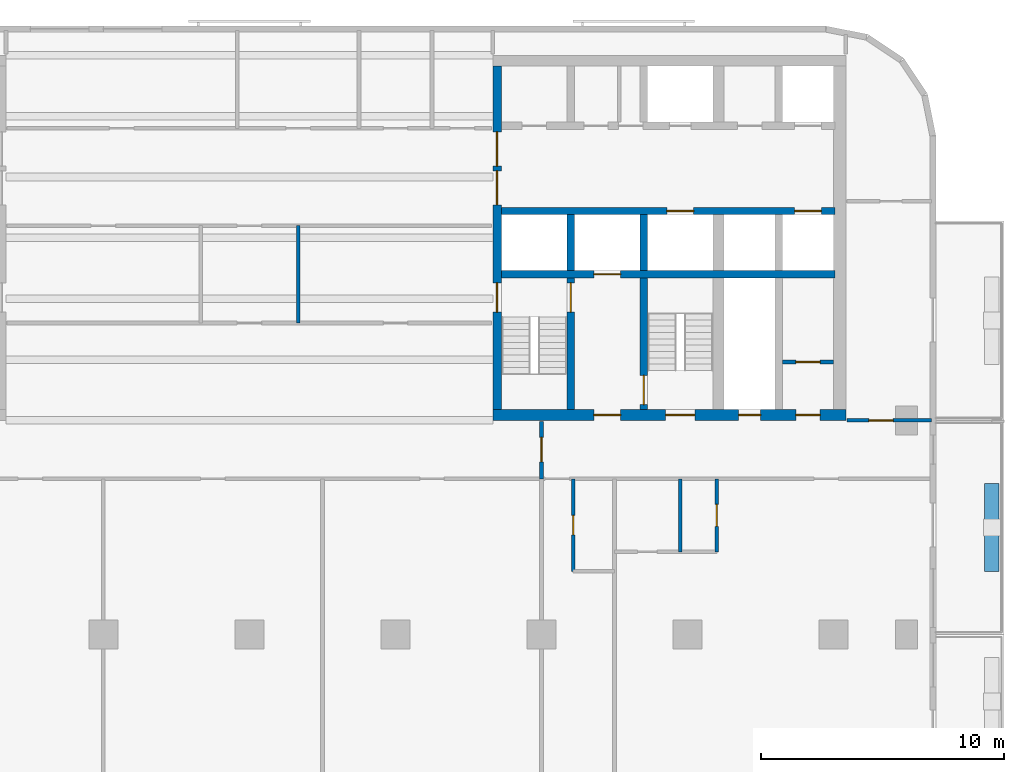
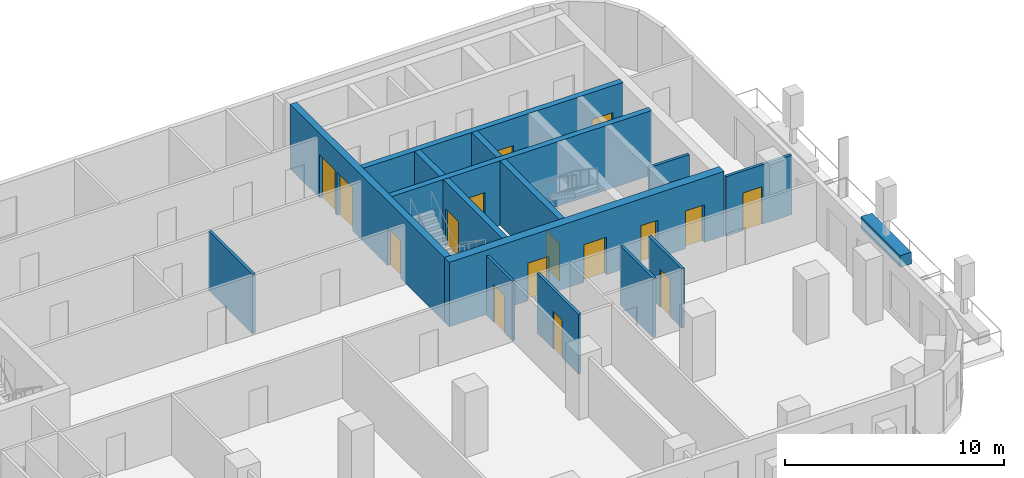
# One storey, part 5 of 11: 17 doors, 16 walls, 17 openings.
"""IFC4 building model written with IfcOpenShell, lengths in metres."""

from ifc_helpers import new_model, si_unit, direction, frame, frame_2d, origin, place, context, subcontext, project, spatial, rectangle, extrude, material, layer, layer_set, type_object, element, fill, save


model = new_model("IFC4")

# Units and contexts
model_context = context("Model", 3, precision=1e-05, world=origin(), true_north=direction((0.0, 1.0)))
body_context = subcontext(model_context, "Body", "Model", "MODEL_VIEW")
ifc_project = project(units=[si_unit("LENGTHUNIT", "METRE"), si_unit("AREAUNIT", "SQUARE_METRE"), si_unit("VOLUMEUNIT", "CUBIC_METRE"), si_unit("PLANEANGLEUNIT", "RADIAN"), si_unit("MASSUNIT", "GRAM", prefix="KILO")], contexts=[model_context])

# Site, building, storey
site_placement = place(None, origin())
site = spatial("IfcSite", under=ifc_project, at=site_placement, CompositionType="ELEMENT")
building_placement = place(site_placement, origin())
building = spatial("IfcBuilding", under=site, at=building_placement, Name="Torana Hotel and Residences", CompositionType="ELEMENT")
storey_placement = place(building_placement, frame((0.0, 0.0, 138.0)))
storey = spatial("IfcBuildingStorey", under=building, at=storey_placement, Name="L35", CompositionType="ELEMENT", Elevation=138.0)

# Wall, openings, doors
ifc_material_1 = material(Name="Concrete C70/85", Category="concrete")
ifc_layer_1 = layer(ifc_material_1, 0.300048828125)
ifc_layer_set_1 = layer_set([ifc_layer_1], Name="CORE WALL 300 C70/85")
wall_type_1 = type_object("IfcWallType", Name="CORE WALL 300 C70/85", PredefinedType="SHEAR", material=ifc_layer_set_1)
wall_1_placement = place(storey_placement, frame((10.35009765625, -6.39990234375, 0.0), z_axis=(0.0, 0.0, 1.0), x_axis=(1.0, 0.0, 0.0)))
wall_1 = element("IfcWall", 1, at=wall_1_placement, inside=storey, type_object=wall_type_1, Name="Core wall E row-S", PredefinedType="SHEAR", context=body_context, shape_type="SweptSolid", body=[
    extrude(rectangle(XDim=13.699951171875, YDim=0.300048828125, at=frame_2d((6.85009765625, 0.0))), origin(), (0.0, 0.0, 1.0), 3.60009765625),
])
opening_1_placement = place(wall_1_placement, frame((12.050048828125, 0.0, 0.0)))
opening_1 = element("IfcOpeningElement", 2, at=opening_1_placement, cuts=wall_1, Name="Opening LD", PredefinedType="OPENING", context=body_context, shape_type="SweptSolid", body=[
    extrude(rectangle(XDim=1.10009765625, YDim=2.10009765625, at=frame_2d((0.550048828125, 1.050048828125))), frame((0.0, 0.159912109375, 0.0), z_axis=(0.0, -1.0, 0.0), x_axis=(1.0, 0.0, 0.0)), (0.0, 0.0, 1.0), 0.320068359375),
])
opening_2_placement = place(wall_1_placement, frame((6.800048828125, 0.0, 0.0)))
opening_2 = element("IfcOpeningElement", 3, at=opening_2_placement, cuts=wall_1, Name="Opening LD", PredefinedType="OPENING", context=body_context, shape_type="SweptSolid", body=[
    extrude(rectangle(XDim=1.10009765625, YDim=2.10009765625, at=frame_2d((0.550048828125, 1.050048828125))), frame((0.0, 0.159912109375, 0.0), z_axis=(0.0, -1.0, 0.0), x_axis=(1.0, 0.0, 0.0)), (0.0, 0.0, 1.0), 0.320068359375),
])
ifc_material_2 = material(Name="Stainless steel 316", Category="steel")
door_type_1 = type_object("IfcDoorType", Name="LIFT LANDING DOOR LD 1100x2100", OperationType="DOUBLE_DOOR_SLIDING", PredefinedType="USERDEFINED", material=ifc_material_2)
door_1_placement = place(opening_1_placement, origin())
door_1 = element("IfcDoor", 4, at=door_1_placement, inside=storey, type_object=door_type_1, Name="Lift landing door M4 L35", ObjectType="LIFT LANDING DOOR", OperationType="DOUBLE_DOOR_SLIDING", OverallHeight=2.10009765625, OverallWidth=1.10009765625, PredefinedType="USERDEFINED", context=body_context, shape_type="SweptSolid", body=[
    extrude(rectangle(XDim=1.10009765625, YDim=2.10009765625, at=frame_2d((0.550048828125, 1.050048828125))), frame((0.0, 0.02490234375, 0.0), z_axis=(0.0, -1.0, 0.0), x_axis=(1.0, 0.0, 0.0)), (0.0, 0.0, 1.0), 0.050048828125),
])
fill(opening_1, door_1)
door_2_placement = place(opening_2_placement, origin())
door_2 = element("IfcDoor", 5, at=door_2_placement, inside=storey, type_object=door_type_1, Name="Lift landing door SV2 L35", ObjectType="LIFT LANDING DOOR", OperationType="DOUBLE_DOOR_SLIDING", OverallHeight=2.10009765625, OverallWidth=1.10009765625, PredefinedType="USERDEFINED", context=body_context, shape_type="SweptSolid", body=[
    extrude(rectangle(XDim=1.10009765625, YDim=2.10009765625, at=frame_2d((0.550048828125, 1.050048828125))), frame((0.0, 0.02490234375, 0.0), z_axis=(0.0, -1.0, 0.0), x_axis=(1.0, 0.0, 0.0)), (0.0, 0.0, 1.0), 0.050048828125),
])
fill(opening_2, door_2)

# Wall, opening, door
wall_2_placement = place(storey_placement, frame((10.35009765625, -9.0, 0.0), z_axis=(0.0, 0.0, 1.0), x_axis=(1.0, 0.0, 0.0)))
wall_2 = element("IfcWall", 6, at=wall_2_placement, inside=storey, type_object=wall_type_1, Name="Core wall E band", PredefinedType="SHEAR", context=body_context, shape_type="SweptSolid", body=[
    extrude(rectangle(XDim=13.699951171875, YDim=0.300048828125, at=frame_2d((6.85009765625, 0.0))), origin(), (0.0, 0.0, 1.0), 3.60009765625),
])
opening_3_placement = place(wall_2_placement, frame((3.800048828125, 0.0, 0.0)))
opening_3 = element("IfcOpeningElement", 7, at=opening_3_placement, cuts=wall_2, Name="Opening LD", PredefinedType="OPENING", context=body_context, shape_type="SweptSolid", body=[
    extrude(rectangle(XDim=1.10009765625, YDim=2.10009765625, at=frame_2d((0.550048828125, 1.050048828125))), frame((0.0, 0.159912109375, 0.0), z_axis=(0.0, -1.0, 0.0), x_axis=(1.0, 0.0, 0.0)), (0.0, 0.0, 1.0), 0.320068359375),
])
door_3_placement = place(opening_3_placement, origin())
door_3 = element("IfcDoor", 8, at=door_3_placement, inside=storey, type_object=door_type_1, Name="Lift landing door FF2 L35", ObjectType="LIFT LANDING DOOR", OperationType="DOUBLE_DOOR_SLIDING", OverallHeight=2.10009765625, OverallWidth=1.10009765625, PredefinedType="USERDEFINED", context=body_context, shape_type="SweptSolid", body=[
    extrude(rectangle(XDim=1.10009765625, YDim=2.10009765625, at=frame_2d((0.550048828125, 1.050048828125))), frame((0.0, 0.02490234375, 0.0), z_axis=(0.0, -1.0, 0.0), x_axis=(1.0, 0.0, 0.0)), (0.0, 0.0, 1.0), 0.050048828125),
])
fill(opening_3, door_3)

# Wall
wall_3_placement = place(storey_placement, frame((13.199951171875, -8.85009765625, 0.0), z_axis=(0.0, 0.0, 1.0), x_axis=(0.0, 1.0, 0.0)))
element("IfcWall", 9, at=wall_3_placement, inside=storey, type_object=wall_type_1, Name="Core wall E x3.05-S", PredefinedType="SHEAR", context=body_context, shape_type="SweptSolid", body=[
    extrude(rectangle(XDim=2.300048828125, YDim=0.300048828125, at=frame_2d((1.14990234375, 0.0))), origin(), (0.0, 0.0, 1.0), 3.60009765625),
])

# Wall, opening, door
wall_4_placement = place(storey_placement, frame((13.199951171875, -14.550048828125, 0.0), z_axis=(0.0, 0.0, 1.0), x_axis=(0.0, 1.0, 0.0)))
wall_4 = element("IfcWall", 10, at=wall_4_placement, inside=storey, type_object=wall_type_1, Name="Core wall E x3.05-band", PredefinedType="SHEAR", context=body_context, shape_type="SweptSolid", body=[
    extrude(rectangle(XDim=5.400146484375, YDim=0.300048828125, at=frame_2d((2.7001953125, 0.0))), origin(), (0.0, 0.0, 1.0), 3.60009765625),
])
opening_4_placement = place(wall_4_placement, frame((4.0, 0.0, 0.0)))
opening_4 = element("IfcOpeningElement", 11, at=opening_4_placement, cuts=wall_4, Name="Opening L35-27", PredefinedType="OPENING", context=body_context, shape_type="SweptSolid", body=[
    extrude(rectangle(XDim=1.199951171875, YDim=2.10009765625, at=frame_2d((0.60009765625, 1.050048828125))), frame((0.0, 0.159912109375, 0.0), z_axis=(0.0, -1.0, 0.0), x_axis=(1.0, 0.0, 0.0)), (0.0, 0.0, 1.0), 0.320068359375),
])
ifc_material_3 = material(Name="Steel S235", Category="steel")
door_type_2 = type_object("IfcDoorType", Name="STAIR FIRE DOOR D3 1200x2100", OperationType="SINGLE_SWING_LEFT", PredefinedType="DOOR", material=ifc_material_3)
door_4_placement = place(opening_4_placement, origin())
door_4 = element("IfcDoor", 12, at=door_4_placement, inside=storey, type_object=door_type_2, Name="Stair-A-lobby door L35", OperationType="SINGLE_SWING_LEFT", OverallHeight=2.10009765625, OverallWidth=1.199951171875, PredefinedType="DOOR", context=body_context, shape_type="SweptSolid", body=[
    extrude(rectangle(XDim=1.199951171875, YDim=2.10009765625, at=frame_2d((0.60009765625, 1.050048828125))), frame((0.0, 0.02490234375, 0.0), z_axis=(0.0, -1.0, 0.0), x_axis=(1.0, 0.0, 0.0)), (0.0, 0.0, 1.0), 0.050048828125),
])
fill(opening_4, door_4)

# Wall
wall_5_placement = place(storey_placement, frame((16.199951171875, -8.85009765625, 0.0), z_axis=(0.0, 0.0, 1.0), x_axis=(0.0, 1.0, 0.0)))
element("IfcWall", 13, at=wall_5_placement, inside=storey, type_object=wall_type_1, Name="Core wall E x6.05-S", PredefinedType="SHEAR", context=body_context, shape_type="SweptSolid", body=[
    extrude(rectangle(XDim=2.300048828125, YDim=0.300048828125, at=frame_2d((1.14990234375, 0.0))), origin(), (0.0, 0.0, 1.0), 3.60009765625),
])

# Wall, opening, door
wall_6_placement = place(storey_placement, frame((16.199951171875, -14.550048828125, 0.0), z_axis=(0.0, 0.0, 1.0), x_axis=(0.0, 1.0, 0.0)))
wall_6 = element("IfcWall", 14, at=wall_6_placement, inside=storey, type_object=wall_type_1, Name="Core wall E x6.05-band", PredefinedType="SHEAR", context=body_context, shape_type="SweptSolid", body=[
    extrude(rectangle(XDim=5.400146484375, YDim=0.300048828125, at=frame_2d((2.7001953125, 0.0))), origin(), (0.0, 0.0, 1.0), 3.60009765625),
])
opening_5_placement = place(wall_6_placement, frame((0.199951171875, 0.0, 0.0)))
opening_5 = element("IfcOpeningElement", 15, at=opening_5_placement, cuts=wall_6, Name="Opening L35-28", PredefinedType="OPENING", context=body_context, shape_type="SweptSolid", body=[
    extrude(rectangle(XDim=1.199951171875, YDim=2.10009765625, at=frame_2d((0.60009765625, 1.050048828125))), frame((0.0, 0.159912109375, 0.0), z_axis=(0.0, -1.0, 0.0), x_axis=(1.0, 0.0, 0.0)), (0.0, 0.0, 1.0), 0.320068359375),
])
door_5_placement = place(opening_5_placement, frame((0.60009765625, 0.0, 0.0), z_axis=(0.0, 0.0, 1.0), x_axis=(-1.0, 0.0, 0.0)))
door_5 = element("IfcDoor", 16, at=door_5_placement, inside=storey, type_object=door_type_2, Name="Stair-B-lobby door L35", OperationType="SINGLE_SWING_LEFT", OverallHeight=2.10009765625, OverallWidth=1.199951171875, PredefinedType="DOOR", context=body_context, shape_type="SweptSolid", body=[
    extrude(rectangle(XDim=1.199951171875, YDim=2.10009765625, at=frame_2d((0.0, 1.050048828125))), frame((0.0, -0.02490234375, 0.0), z_axis=(0.0, 1.0, 0.0), x_axis=(-1.0, 0.0, 0.0)), (0.0, 0.0, 1.0), 0.050048828125),
])
fill(opening_5, door_5)

# Wall, openings, doors
ifc_material_4 = material(Name="Concrete C70/85", Category="concrete")
ifc_layer_2 = layer(ifc_material_4, 0.35009765625)
ifc_layer_set_2 = layer_set([ifc_layer_2], Name="CORE WALL 350 C70/85")
wall_type_2 = type_object("IfcWallType", Name="CORE WALL 350 C70/85", PredefinedType="SHEAR", material=ifc_layer_set_2)
wall_7_placement = place(storey_placement, frame((10.175048828125, -14.550048828125, 0.0), z_axis=(0.0, 0.0, 1.0), x_axis=(0.0, 1.0, 0.0)))
wall_7 = element("IfcWall", 17, at=wall_7_placement, inside=storey, type_object=wall_type_2, Name="Core wall E arch", PredefinedType="SHEAR", context=body_context, shape_type="SweptSolid", body=[
    extrude(rectangle(XDim=14.10009765625, YDim=0.35009765625, at=frame_2d((7.050048828125, 0.0))), origin(), (0.0, 0.0, 1.0), 3.60009765625),
])
opening_6_placement = place(wall_7_placement, frame((8.39990234375, 0.0, 0.0)))
opening_6 = element("IfcOpeningElement", 18, at=opening_6_placement, cuts=wall_7, Name="Opening L35-15", PredefinedType="OPENING", context=body_context, shape_type="SweptSolid", body=[
    extrude(rectangle(XDim=1.39990234375, YDim=2.39990234375, at=frame_2d((0.699951171875, 1.199951171875))), frame((0.0, 0.18505859375, 0.0), z_axis=(0.0, -1.0, 0.0), x_axis=(1.0, 0.0, 0.0)), (0.0, 0.0, 1.0), 0.3701171875),
])
opening_7_placement = place(wall_7_placement, frame((10.0, 0.0, 0.0)))
opening_7 = element("IfcOpeningElement", 19, at=opening_7_placement, cuts=wall_7, Name="Opening L35-16", PredefinedType="OPENING", context=body_context, shape_type="SweptSolid", body=[
    extrude(rectangle(XDim=1.39990234375, YDim=2.39990234375, at=frame_2d((0.699951171875, 1.199951171875))), frame((0.0, 0.18505859375, 0.0), z_axis=(0.0, -1.0, 0.0), x_axis=(1.0, 0.0, 0.0)), (0.0, 0.0, 1.0), 0.3701171875),
])
opening_8_placement = place(wall_7_placement, frame((4.0, 0.0, 0.0)))
opening_8 = element("IfcOpeningElement", 20, at=opening_8_placement, cuts=wall_7, Name="Opening L35-17", PredefinedType="OPENING", context=body_context, shape_type="SweptSolid", body=[
    extrude(rectangle(XDim=1.199951171875, YDim=2.10009765625, at=frame_2d((0.60009765625, 1.050048828125))), frame((0.0, 0.18505859375, 0.0), z_axis=(0.0, -1.0, 0.0), x_axis=(1.0, 0.0, 0.0)), (0.0, 0.0, 1.0), 0.3701171875),
])
ifc_material_5 = material(Name="Steel S235", Category="steel")
door_type_3 = type_object("IfcDoorType", Name="LOBBY FIRE DOOR D4 1400x2400", OperationType="DOUBLE_DOOR_SINGLE_SWING", PredefinedType="DOOR", material=ifc_material_5)
door_6_placement = place(opening_6_placement, origin())
door_6 = element("IfcDoor", 21, at=door_6_placement, inside=storey, type_object=door_type_3, Name="Lobby-1 door L35", OperationType="DOUBLE_DOOR_SINGLE_SWING", OverallHeight=2.39990234375, OverallWidth=1.39990234375, PredefinedType="DOOR", context=body_context, shape_type="SweptSolid", body=[
    extrude(rectangle(XDim=1.39990234375, YDim=2.39990234375, at=frame_2d((0.699951171875, 1.199951171875))), frame((0.0, 0.02490234375, 0.0), z_axis=(0.0, -1.0, 0.0), x_axis=(1.0, 0.0, 0.0)), (0.0, 0.0, 1.0), 0.050048828125),
])
fill(opening_6, door_6)
door_7_placement = place(opening_7_placement, origin())
door_7 = element("IfcDoor", 22, at=door_7_placement, inside=storey, type_object=door_type_3, Name="Lobby-2 door L35", OperationType="DOUBLE_DOOR_SINGLE_SWING", OverallHeight=2.39990234375, OverallWidth=1.39990234375, PredefinedType="DOOR", context=body_context, shape_type="SweptSolid", body=[
    extrude(rectangle(XDim=1.39990234375, YDim=2.39990234375, at=frame_2d((0.699951171875, 1.199951171875))), frame((0.0, 0.02490234375, 0.0), z_axis=(0.0, -1.0, 0.0), x_axis=(1.0, 0.0, 0.0)), (0.0, 0.0, 1.0), 0.050048828125),
])
fill(opening_7, door_7)
door_8_placement = place(opening_8_placement, frame((0.60009765625, 0.0, 0.0), z_axis=(0.0, 0.0, 1.0), x_axis=(-1.0, 0.0, 0.0)))
door_8 = element("IfcDoor", 23, at=door_8_placement, inside=storey, type_object=door_type_2, Name="Stair-A door L35", OperationType="SINGLE_SWING_RIGHT", OverallHeight=2.10009765625, OverallWidth=1.199951171875, PredefinedType="DOOR", context=body_context, shape_type="SweptSolid", body=[
    extrude(rectangle(XDim=1.199951171875, YDim=2.10009765625, at=frame_2d((0.0, 1.050048828125))), frame((0.0, -0.02490234375, 0.0), z_axis=(0.0, 1.0, 0.0), x_axis=(-1.0, 0.0, 0.0)), (0.0, 0.0, 1.0), 0.050048828125),
])
fill(opening_8, door_8)

ifc_material_6 = material(Name="Concrete C70/85", Category="concrete")
ifc_layer_3 = layer(ifc_material_6, 0.449951171875)
ifc_layer_set_3 = layer_set([ifc_layer_3], Name="CORE WALL 450 C70/85")
wall_type_3 = type_object("IfcWallType", Name="CORE WALL 450 C70/85", PredefinedType="SHEAR", material=ifc_layer_set_3)
wall_8_placement = place(storey_placement, frame((10.0, -14.77490234375, 0.0), z_axis=(0.0, 0.0, 1.0), x_axis=(1.0, 0.0, 0.0)))
wall_8 = element("IfcWall", 24, at=wall_8_placement, inside=storey, type_object=wall_type_3, Name="Core wall E front", PredefinedType="SHEAR", context=body_context, shape_type="SweptSolid", body=[
    extrude(rectangle(XDim=14.5, YDim=0.449951171875, at=frame_2d((7.25, 0.0))), origin(), (0.0, 0.0, 1.0), 3.60009765625),
])
opening_9_placement = place(wall_8_placement, frame((7.10009765625, 0.0, 0.0)))
opening_9 = element("IfcOpeningElement", 25, at=opening_9_placement, cuts=wall_8, Name="Opening L35-18", PredefinedType="OPENING", context=body_context, shape_type="SweptSolid", body=[
    extrude(rectangle(XDim=1.199951171875, YDim=2.10009765625, at=frame_2d((0.60009765625, 1.050048828125))), frame((0.0, 0.23486328125, 0.0), z_axis=(0.0, -1.0, 0.0), x_axis=(1.0, 0.0, 0.0)), (0.0, 0.0, 1.0), 0.469970703125),
])
opening_10_placement = place(wall_8_placement, frame((4.14990234375, 0.0, 0.0)))
opening_10 = element("IfcOpeningElement", 26, at=opening_10_placement, cuts=wall_8, Name="Opening L35-19", PredefinedType="OPENING", context=body_context, shape_type="SweptSolid", body=[
    extrude(rectangle(XDim=1.10009765625, YDim=2.10009765625, at=frame_2d((0.550048828125, 1.050048828125))), frame((0.0, 0.23486328125, 0.0), z_axis=(0.0, -1.0, 0.0), x_axis=(1.0, 0.0, 0.0)), (0.0, 0.0, 1.0), 0.469970703125),
])
opening_11_placement = place(wall_8_placement, frame((10.10009765625, 0.0, 0.0)))
opening_11 = element("IfcOpeningElement", 27, at=opening_11_placement, cuts=wall_8, Name="Opening L35-20", PredefinedType="OPENING", context=body_context, shape_type="SweptSolid", body=[
    extrude(rectangle(XDim=0.89990234375, YDim=2.10009765625, at=frame_2d((0.449951171875, 1.050048828125))), frame((0.0, 0.23486328125, 0.0), z_axis=(0.0, -1.0, 0.0), x_axis=(1.0, 0.0, 0.0)), (0.0, 0.0, 1.0), 0.469970703125),
])
opening_12_placement = place(wall_8_placement, frame((12.449951171875, 0.0, 0.0)))
opening_12 = element("IfcOpeningElement", 28, at=opening_12_placement, cuts=wall_8, Name="Opening L35-21", PredefinedType="OPENING", context=body_context, shape_type="SweptSolid", body=[
    extrude(rectangle(XDim=1.0, YDim=2.10009765625, at=frame_2d((0.5, 1.050048828125))), frame((0.0, 0.23486328125, 0.0), z_axis=(0.0, -1.0, 0.0), x_axis=(1.0, 0.0, 0.0)), (0.0, 0.0, 1.0), 0.469970703125),
])
ifc_material_7 = material(Name="Steel S235", Category="steel")
door_type_4 = type_object("IfcDoorType", Name="CORE ROOM FIRE DOOR D14 1000x2100", OperationType="SINGLE_SWING_LEFT", PredefinedType="DOOR", material=ifc_material_7)
door_9_placement = place(opening_12_placement, origin())
door_9 = element("IfcDoor", 29, at=door_9_placement, inside=storey, type_object=door_type_4, Name="M-Room-B door L35", OperationType="SINGLE_SWING_RIGHT", OverallHeight=2.10009765625, OverallWidth=1.0, PredefinedType="DOOR", context=body_context, shape_type="SweptSolid", body=[
    extrude(rectangle(XDim=1.0, YDim=2.10009765625, at=frame_2d((0.5, 1.050048828125))), frame((0.0, 0.02490234375, 0.0), z_axis=(0.0, -1.0, 0.0), x_axis=(1.0, 0.0, 0.0)), (0.0, 0.0, 1.0), 0.050048828125),
])
fill(opening_12, door_9)
ifc_material_8 = material(Name="Steel S235", Category="steel")
door_type_5 = type_object("IfcDoorType", Name="FIRE-FIGHTING LOBBY DOOR D8 1100x2100", OperationType="SINGLE_SWING_LEFT", PredefinedType="DOOR", material=ifc_material_8)
door_10_placement = place(opening_10_placement, origin())
door_10 = element("IfcDoor", 30, at=door_10_placement, inside=storey, type_object=door_type_5, Name="FF-lobby door L35", OperationType="SINGLE_SWING_RIGHT", OverallHeight=2.10009765625, OverallWidth=1.10009765625, PredefinedType="DOOR", context=body_context, shape_type="SweptSolid", body=[
    extrude(rectangle(XDim=1.10009765625, YDim=2.10009765625, at=frame_2d((0.550048828125, 1.050048828125))), frame((0.0, 0.02490234375, 0.0), z_axis=(0.0, -1.0, 0.0), x_axis=(1.0, 0.0, 0.0)), (0.0, 0.0, 1.0), 0.050048828125),
])
fill(opening_10, door_10)
ifc_material_9 = material(Name="Steel S235", Category="steel")
door_type_6 = type_object("IfcDoorType", Name="RISER ACCESS DOOR D5 900x2100", OperationType="SINGLE_SWING_LEFT", PredefinedType="DOOR", material=ifc_material_9)
door_11_placement = place(opening_11_placement, origin())
door_11 = element("IfcDoor", 31, at=door_11_placement, inside=storey, type_object=door_type_6, Name="M-Riser door L35", OperationType="SINGLE_SWING_RIGHT", OverallHeight=2.10009765625, OverallWidth=0.89990234375, PredefinedType="DOOR", context=body_context, shape_type="SweptSolid", body=[
    extrude(rectangle(XDim=0.89990234375, YDim=2.10009765625, at=frame_2d((0.449951171875, 1.050048828125))), frame((0.0, 0.02490234375, 0.0), z_axis=(0.0, -1.0, 0.0), x_axis=(1.0, 0.0, 0.0)), (0.0, 0.0, 1.0), 0.050048828125),
])
fill(opening_11, door_11)
door_12_placement = place(opening_9_placement, origin())
door_12 = element("IfcDoor", 32, at=door_12_placement, inside=storey, type_object=door_type_2, Name="Stair-B door L35", OperationType="SINGLE_SWING_RIGHT", OverallHeight=2.10009765625, OverallWidth=1.199951171875, PredefinedType="DOOR", context=body_context, shape_type="SweptSolid", body=[
    extrude(rectangle(XDim=1.199951171875, YDim=2.10009765625, at=frame_2d((0.60009765625, 1.050048828125))), frame((0.0, 0.02490234375, 0.0), z_axis=(0.0, -1.0, 0.0), x_axis=(1.0, 0.0, 0.0)), (0.0, 0.0, 1.0), 0.050048828125),
])
fill(opening_9, door_12)

# Wall, opening, door
ifc_material_10 = material(Name="Gypsum plaster")
ifc_layer_4 = layer(ifc_material_10, 0.014892578125, Name="Plaster", Category="finish")
ifc_material_11 = material(Name="Concrete blockwork", Category="masonry")
ifc_layer_5 = layer(ifc_material_11, 0.1201171875, Name="Blockwork", Category="structure")
ifc_layer_6 = layer(ifc_material_10, 0.014892578125, Name="Plaster", Category="finish")
ifc_layer_set_4 = layer_set([ifc_layer_4, ifc_layer_5, ifc_layer_6], Name="FIRE PARTITION 150 BLOCKWORK")
wall_type_4 = type_object("IfcWallType", Name="FIRE PARTITION 150 BLOCKWORK", PredefinedType="PARTITIONING", material=ifc_layer_set_4)
wall_9_placement = place(storey_placement, frame((21.89990234375, -12.60009765625, 0.0), z_axis=(0.0, 0.0, 1.0), x_axis=(1.0, 0.0, 0.0)))
wall_9 = element("IfcWall", 33, at=wall_9_placement, inside=storey, type_object=wall_type_4, Name="Core partition L35", PredefinedType="PARTITIONING", context=body_context, shape_type="SweptSolid", body=[
    extrude(rectangle(XDim=2.10009765625, YDim=0.14990234375, at=frame_2d((1.050048828125, 0.0))), origin(), (0.0, 0.0, 1.0), 3.300048828125),
])
opening_13_placement = place(wall_9_placement, frame((0.550048828125, 0.0, 0.0)))
opening_13 = element("IfcOpeningElement", 34, at=opening_13_placement, cuts=wall_9, Name="Opening L35-30", PredefinedType="OPENING", context=body_context, shape_type="SweptSolid", body=[
    extrude(rectangle(XDim=1.0, YDim=2.10009765625, at=frame_2d((0.5, 1.050048828125))), frame((0.0, 0.0849609375, 0.0), z_axis=(0.0, -1.0, 0.0), x_axis=(1.0, 0.0, 0.0)), (0.0, 0.0, 1.0), 0.169921875),
])
door_13_placement = place(opening_13_placement, origin())
door_13 = element("IfcDoor", 35, at=door_13_placement, inside=storey, type_object=door_type_4, Name="Plant room door L35", OperationType="SINGLE_SWING_RIGHT", OverallHeight=2.10009765625, OverallWidth=1.0, PredefinedType="DOOR", context=body_context, shape_type="SweptSolid", body=[
    extrude(rectangle(XDim=1.0, YDim=2.10009765625, at=frame_2d((0.5, 1.050048828125))), frame((0.0, 0.02490234375, 0.0), z_axis=(0.0, -1.0, 0.0), x_axis=(1.0, 0.0, 0.0)), (0.0, 0.0, 1.0), 0.050048828125),
])
fill(opening_13, door_13)

wall_10_placement = place(storey_placement, frame((12.0, -17.39990234375, 0.0), z_axis=(0.0, 0.0, 1.0), x_axis=(0.0, 1.0, 0.0)))
wall_10 = element("IfcWall", 36, at=wall_10_placement, inside=storey, type_object=wall_type_4, Name="Partition L35", PredefinedType="PARTITIONING", context=body_context, shape_type="SweptSolid", body=[
    extrude(rectangle(XDim=2.349853515625, YDim=0.14990234375, at=frame_2d((1.1748046875, 0.0))), origin(), (0.0, 0.0, 1.0), 3.320068359375),
])
opening_14_placement = place(wall_10_placement, frame((0.699951171875, 0.0, 0.0)))
opening_14 = element("IfcOpeningElement", 37, at=opening_14_placement, cuts=wall_10, Name="Opening L35-36", PredefinedType="OPENING", context=body_context, shape_type="SweptSolid", body=[
    extrude(rectangle(XDim=1.0, YDim=2.10009765625, at=frame_2d((0.5, 1.050048828125))), frame((0.0, 0.0849609375, 0.0), z_axis=(0.0, -1.0, 0.0), x_axis=(1.0, 0.0, 0.0)), (0.0, 0.0, 1.0), 0.169921875),
])
ifc_material_12 = material(Name="Steel S235", Category="steel")
door_type_7 = type_object("IfcDoorType", Name="ENTRY FIRE DOOR D6 1000x2100", OperationType="SINGLE_SWING_LEFT", PredefinedType="DOOR", material=ifc_material_12)
door_14_placement = place(opening_14_placement, origin())
door_14 = element("IfcDoor", 38, at=door_14_placement, inside=storey, type_object=door_type_7, Name="Door L35", OperationType="SINGLE_SWING_RIGHT", OverallHeight=2.10009765625, OverallWidth=1.0, PredefinedType="DOOR", context=body_context, shape_type="SweptSolid", body=[
    extrude(rectangle(XDim=1.0, YDim=2.10009765625, at=frame_2d((0.5, 1.050048828125))), frame((0.0, 0.02490234375, 0.0), z_axis=(0.0, -1.0, 0.0), x_axis=(1.0, 0.0, 0.0)), (0.0, 0.0, 1.0), 0.050048828125),
])
fill(opening_14, door_14)

# Wall
wall_11_placement = place(storey_placement, frame((2.0, -11.0, 0.0), z_axis=(0.0, 0.0, 1.0), x_axis=(0.0, 1.0, 0.0)))
element("IfcWall", 39, at=wall_11_placement, inside=storey, type_object=wall_type_4, Name="Partition L35", PredefinedType="PARTITIONING", context=body_context, shape_type="SweptSolid", body=[
    extrude(rectangle(XDim=4.0, YDim=0.14990234375, at=frame_2d((2.0, 0.0))), origin(), (0.0, 0.0, 1.0), 3.320068359375),
])

# Wall, opening, door
wall_12_placement = place(storey_placement, frame((24.550048828125, -15.0, 0.0), z_axis=(0.0, 0.0, 1.0), x_axis=(1.0, 0.0, 0.0)))
wall_12 = element("IfcWall", 40, at=wall_12_placement, inside=storey, type_object=wall_type_4, Name="Partition L35", PredefinedType="PARTITIONING", context=body_context, shape_type="SweptSolid", body=[
    extrude(rectangle(XDim=3.469970703125, YDim=0.14990234375, at=frame_2d((1.73486328125, 0.0))), origin(), (0.0, 0.0, 1.0), 3.320068359375),
])
opening_15_placement = place(wall_12_placement, frame((0.89990234375, 0.0, 0.0)))
opening_15 = element("IfcOpeningElement", 41, at=opening_15_placement, cuts=wall_12, Name="Opening L35-39", PredefinedType="OPENING", context=body_context, shape_type="SweptSolid", body=[
    extrude(rectangle(XDim=1.0, YDim=2.10009765625, at=frame_2d((0.5, 1.050048828125))), frame((0.0, 0.0849609375, 0.0), z_axis=(0.0, -1.0, 0.0), x_axis=(1.0, 0.0, 0.0)), (0.0, 0.0, 1.0), 0.169921875),
])
door_15_placement = place(opening_15_placement, origin())
door_15 = element("IfcDoor", 42, at=door_15_placement, inside=storey, type_object=door_type_4, Name="Door L35", OperationType="SINGLE_SWING_LEFT", OverallHeight=2.10009765625, OverallWidth=1.0, PredefinedType="DOOR", context=body_context, shape_type="SweptSolid", body=[
    extrude(rectangle(XDim=1.0, YDim=2.10009765625, at=frame_2d((0.5, 1.050048828125))), frame((0.0, 0.02490234375, 0.0), z_axis=(0.0, -1.0, 0.0), x_axis=(1.0, 0.0, 0.0)), (0.0, 0.0, 1.0), 0.050048828125),
])
fill(opening_15, door_15)

ifc_material_13 = material(Name="Gypsum plasterboard")
ifc_layer_7 = layer(ifc_material_13, 0.012451171875, Name="Plasterboard", Category="finish")
ifc_layer_8 = layer(ifc_material_13, 0.012451171875, Name="Plasterboard", Category="finish")
ifc_material_14 = material(Name="Steel S280GD", Category="steel")
ifc_layer_9 = layer(ifc_material_14, 0.10009765625, Name="Steel studs with mineral wool", Category="insulation")
ifc_layer_10 = layer(ifc_material_13, 0.012451171875, Name="Plasterboard", Category="finish")
ifc_layer_11 = layer(ifc_material_13, 0.012451171875, Name="Plasterboard", Category="finish")
ifc_layer_set_5 = layer_set([ifc_layer_7, ifc_layer_8, ifc_layer_9, ifc_layer_10, ifc_layer_11], Name="PARTITION 150 PLASTERBOARD")
wall_type_5 = type_object("IfcWallType", Name="PARTITION 150 PLASTERBOARD", PredefinedType="PARTITIONING", material=ifc_layer_set_5)
wall_13_placement = place(storey_placement, frame((19.199951171875, -20.39990234375, 0.0), z_axis=(0.0, 0.0, 1.0), x_axis=(0.0, 1.0, 0.0)))
wall_13 = element("IfcWall", 43, at=wall_13_placement, inside=storey, type_object=wall_type_5, Name="Partition L35", PredefinedType="PARTITIONING", context=body_context, shape_type="SweptSolid", body=[
    extrude(rectangle(XDim=3.0, YDim=0.14990234375, at=frame_2d((1.5, 0.0))), origin(), (0.0, 0.0, 1.0), 3.320068359375),
])
opening_16_placement = place(wall_13_placement, frame((1.050048828125, 0.0, 0.0)))
opening_16 = element("IfcOpeningElement", 44, at=opening_16_placement, cuts=wall_13, Name="Opening L35-57", PredefinedType="OPENING", context=body_context, shape_type="SweptSolid", body=[
    extrude(rectangle(XDim=0.89990234375, YDim=2.10009765625, at=frame_2d((0.449951171875, 1.050048828125))), frame((0.0, 0.0849609375, 0.0), z_axis=(0.0, -1.0, 0.0), x_axis=(1.0, 0.0, 0.0)), (0.0, 0.0, 1.0), 0.169921875),
])
ifc_material_15 = material(Name="Timber door, oiled ash", Category="wood")
door_type_8 = type_object("IfcDoorType", Name="ROOM DOOR D7 900x2100", OperationType="SINGLE_SWING_LEFT", PredefinedType="DOOR", material=ifc_material_15)
door_16_placement = place(opening_16_placement, origin())
door_16 = element("IfcDoor", 45, at=door_16_placement, inside=storey, type_object=door_type_8, Name="Door L35", OperationType="SINGLE_SWING_RIGHT", OverallHeight=2.10009765625, OverallWidth=0.89990234375, PredefinedType="DOOR", context=body_context, shape_type="SweptSolid", body=[
    extrude(rectangle(XDim=0.89990234375, YDim=2.10009765625, at=frame_2d((0.449951171875, 1.050048828125))), frame((0.0, 0.02490234375, 0.0), z_axis=(0.0, -1.0, 0.0), x_axis=(1.0, 0.0, 0.0)), (0.0, 0.0, 1.0), 0.050048828125),
])
fill(opening_16, door_16)

# Wall
wall_14_placement = place(storey_placement, frame((17.699951171875, -20.39990234375, 0.0), z_axis=(0.0, 0.0, 1.0), x_axis=(0.0, 1.0, 0.0)))
element("IfcWall", 46, at=wall_14_placement, inside=storey, type_object=wall_type_5, Name="Partition L35", PredefinedType="PARTITIONING", context=body_context, shape_type="SweptSolid", body=[
    extrude(rectangle(XDim=3.0, YDim=0.14990234375, at=frame_2d((1.5, 0.0))), origin(), (0.0, 0.0, 1.0), 3.320068359375),
])

# Wall, opening, door
wall_15_placement = place(storey_placement, frame((13.300048828125, -21.199951171875, 0.0), z_axis=(0.0, 0.0, 1.0), x_axis=(0.0, 1.0, 0.0)))
wall_15 = element("IfcWall", 47, at=wall_15_placement, inside=storey, type_object=wall_type_5, Name="Partition L35", PredefinedType="PARTITIONING", context=body_context, shape_type="SweptSolid", body=[
    extrude(rectangle(XDim=3.800048828125, YDim=0.14990234375, at=frame_2d((1.89990234375, 0.0))), origin(), (0.0, 0.0, 1.0), 3.320068359375),
])
opening_17_placement = place(wall_15_placement, frame((1.5, 0.0, 0.0)))
opening_17 = element("IfcOpeningElement", 48, at=opening_17_placement, cuts=wall_15, Name="Opening L35-53", PredefinedType="OPENING", context=body_context, shape_type="SweptSolid", body=[
    extrude(rectangle(XDim=0.800048828125, YDim=2.10009765625, at=frame_2d((0.39990234375, 1.050048828125))), frame((0.0, 0.0849609375, 0.0), z_axis=(0.0, -1.0, 0.0), x_axis=(1.0, 0.0, 0.0)), (0.0, 0.0, 1.0), 0.169921875),
])
ifc_material_16 = material(Name="Timber door, painted", Category="wood")
door_type_9 = type_object("IfcDoorType", Name="BATH DOOR D13 800x2100", OperationType="SINGLE_SWING_LEFT", PredefinedType="DOOR", material=ifc_material_16)
door_17_placement = place(opening_17_placement, origin())
door_17 = element("IfcDoor", 49, at=door_17_placement, inside=storey, type_object=door_type_9, Name="Door L35", OperationType="SINGLE_SWING_RIGHT", OverallHeight=2.10009765625, OverallWidth=0.800048828125, PredefinedType="DOOR", context=body_context, shape_type="SweptSolid", body=[
    extrude(rectangle(XDim=0.800048828125, YDim=2.10009765625, at=frame_2d((0.39990234375, 1.050048828125))), frame((0.0, 0.02490234375, 0.0), z_axis=(0.0, -1.0, 0.0), x_axis=(1.0, 0.0, 0.0)), (0.0, 0.0, 1.0), 0.050048828125),
])
fill(opening_17, door_17)

# Wall
ifc_material_17 = material(Name="Concrete C40/50 precast", Category="concrete")
ifc_layer_12 = layer(ifc_material_17, 0.10009765625, Name="Planter shell", Category="structure")
ifc_material_18 = material(Name="Root resistant membrane")
ifc_layer_13 = layer(ifc_material_18, 0.00390625, Name="Waterproofing membrane", Category="membrane")
ifc_material_19 = material(Name="Drainage board with filter fleece")
ifc_layer_14 = layer(ifc_material_19, 0.02001953125, Name="Drainage board", Category="drainage")
ifc_material_20 = material(Name="Growing medium")
ifc_layer_15 = layer(ifc_material_20, 0.47607421875, Name="Planting substrate", Category="soil")
ifc_layer_set_6 = layer_set([ifc_layer_12, ifc_layer_13, ifc_layer_14, ifc_layer_15], Name="PL1 BALCONY PLANTER 600")
wall_type_6 = type_object("IfcWallType", Name="PL1 BALCONY PLANTER 600", PredefinedType="USERDEFINED", material=ifc_layer_set_6)
wall_16_placement = place(storey_placement, frame((30.5, -17.60009765625, 0.0), z_axis=(0.0, 0.0, 1.0), x_axis=(0.0, -1.0, 0.0)))
element("IfcWall", 50, at=wall_16_placement, inside=storey, type_object=wall_type_6, Name="Planter 13", ObjectType="PLANTER", PredefinedType="USERDEFINED", context=body_context, shape_type="SweptSolid", body=[
    extrude(rectangle(XDim=3.599853515625, YDim=0.60009765625, at=frame_2d((1.7998046875, 0.0))), origin(), (0.0, 0.0, 1.0), 0.64990234375),
])

save(model, "model.ifc")
